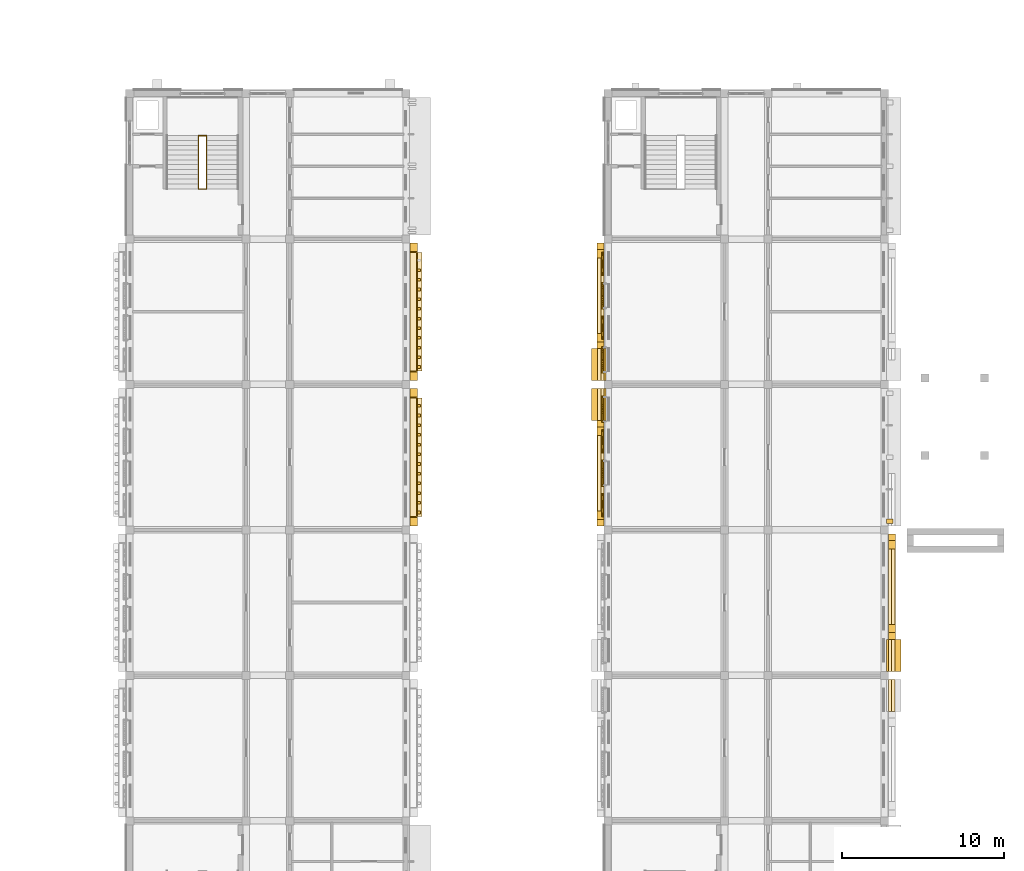
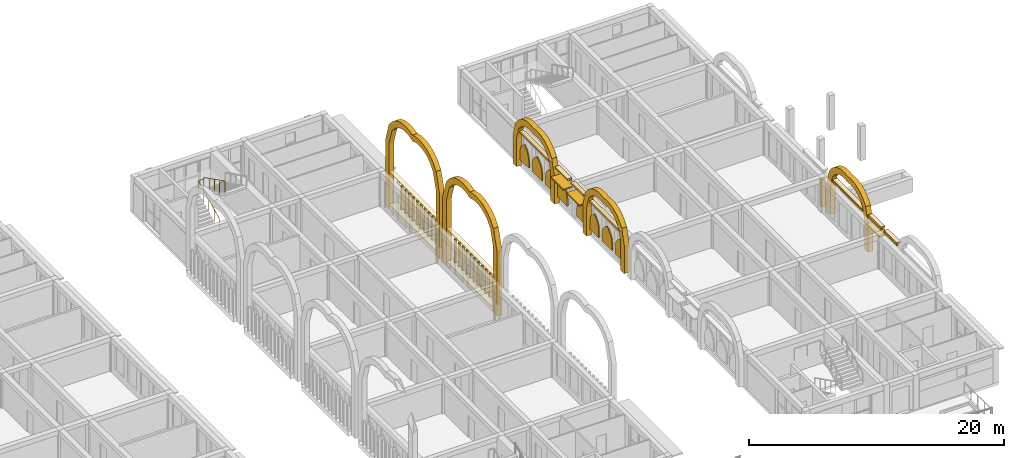
# One storey, part 81 of 82: 47 coverings, 11 shading devices, 1 railing.
"""IFC4 building model written with IfcOpenShell, lengths in metres."""

from ifc_helpers import new_model, si_unit, direction, frame, origin, origin_2d, place, context, subcontext, project, spatial, polyline, rectangle, circle, outline, extrude, material, layer, layer_set, type_object, element, save


model = new_model("IFC4")

# Units and contexts
model_context = context("Model", 3, precision=1e-05, world=origin(), true_north=direction((0.0, 1.0)))
body_context = subcontext(model_context, "Body", "Model", "MODEL_VIEW")
ifc_project = project(units=[si_unit("LENGTHUNIT", "METRE"), si_unit("AREAUNIT", "SQUARE_METRE"), si_unit("VOLUMEUNIT", "CUBIC_METRE"), si_unit("PLANEANGLEUNIT", "RADIAN"), si_unit("MASSUNIT", "GRAM", prefix="KILO")], contexts=[model_context])

# Site, building, storey
site_placement = place(None, origin())
site = spatial("IfcSite", under=ifc_project, at=site_placement, CompositionType="ELEMENT")
building_placement = place(site_placement, origin())
building = spatial("IfcBuilding", under=site, at=building_placement, Name="Elbe Cascade School", CompositionType="ELEMENT")
storey_placement = place(building_placement, frame((0.0, 0.0, 4.5)))
storey = spatial("IfcBuildingStorey", under=building, at=storey_placement, Name="L01", CompositionType="ELEMENT", Elevation=4.5)

# Railing
ifc_material_1 = material(Name="Steel S355J2H, painted", Category="steel")
railing_type = type_object("IfcRailingType", Name="Bar stair guard 1100", PredefinedType="GUARDRAIL", material=ifc_material_1)
railing_placement = place(storey_placement, frame((132.449951171875, 54.10009765625, 0.14990234375)))
element("IfcRailing", 1, at=railing_placement, inside=storey, type_object=railing_type, Name="Stair guard C1.N", PredefinedType="GUARDRAIL", context=body_context, shape_type="SweptSolid", body=[
    extrude(circle(Radius=0.02392578125, at=origin_2d()), frame((0.0, 0.0, 1.09619140625), z_axis=(0.0, 0.894400720042, 0.447266533499), x_axis=(-1.0, 0.0, 0.0)), (0.0, 0.0, 1.0), 3.689453125),
    extrude(circle(Radius=0.02392578125, at=origin_2d()), frame((0.0, 3.2998046875, 2.74609375), z_axis=(1.0, 0.0, 0.0), x_axis=(0.0, 1.0, 0.0)), (0.0, 0.0, 1.0), 0.5),
    extrude(circle(Radius=0.02392578125, at=origin_2d()), frame((0.5, 3.2998046875, 2.74609375), z_axis=(0.0, 0.0, 1.0), x_axis=(1.0, 0.0, 0.0)), (0.0, 0.0, 1.0), 0.14990234375),
    extrude(circle(Radius=0.02392578125, at=origin_2d()), frame((0.5, 3.2998046875, 2.89599609375), z_axis=(0.0, -0.894400720042, 0.447266533499), x_axis=(1.0, 0.0, 0.0)), (0.0, 0.0, 1.0), 3.689453125),
    extrude(circle(Radius=0.02392578125, at=origin_2d()), frame((0.5, 0.0, 4.54638671875), z_axis=(-1.0, 0.0, 0.0), x_axis=(0.0, -1.0, 0.0)), (0.0, 0.0, 1.0), 0.5),
    extrude(circle(Radius=0.02099609375, at=origin_2d()), origin(), (0.0, 0.0, 1.0), 1.072021484375),
    extrude(circle(Radius=0.02099609375, at=origin_2d()), frame((0.0, 0.824951171875, 0.41259765625)), (0.0, 0.0, 1.0), 1.072021484375),
    extrude(circle(Radius=0.02099609375, at=origin_2d()), frame((0.0, 1.64990234375, 0.8251953125)), (0.0, 0.0, 1.0), 1.072021484375),
    extrude(circle(Radius=0.02099609375, at=origin_2d()), frame((0.0, 2.474853515625, 1.237548828125)), (0.0, 0.0, 1.0), 1.072021484375),
    extrude(circle(Radius=0.02099609375, at=origin_2d()), frame((0.0, 3.2998046875, 1.650146484375)), (0.0, 0.0, 1.0), 1.072021484375),
    extrude(circle(Radius=0.02099609375, at=origin_2d()), frame((0.5, 3.2998046875, 1.650146484375)), (0.0, 0.0, 1.0), 1.072021484375),
    extrude(circle(Radius=0.02099609375, at=origin_2d()), frame((0.5, 3.2998046875, 1.800048828125)), (0.0, 0.0, 1.0), 1.072021484375),
    extrude(circle(Radius=0.02099609375, at=origin_2d()), frame((0.5, 2.474853515625, 2.212646484375)), (0.0, 0.0, 1.0), 1.072021484375),
    extrude(circle(Radius=0.02099609375, at=origin_2d()), frame((0.5, 1.64990234375, 2.625)), (0.0, 0.0, 1.0), 1.072021484375),
    extrude(circle(Radius=0.02099609375, at=origin_2d()), frame((0.5, 0.824951171875, 3.03759765625)), (0.0, 0.0, 1.0), 1.072021484375),
    extrude(circle(Radius=0.02099609375, at=origin_2d()), frame((0.5, 0.0, 3.4501953125)), (0.0, 0.0, 1.0), 1.072021484375),
    extrude(circle(Radius=0.02099609375, at=origin_2d()), frame((0.0, 0.0, 3.4501953125)), (0.0, 0.0, 1.0), 1.072021484375),
])

# Shading devices
ifc_material_2 = material(Name="Precast concrete C30/37", Category="concrete")
ifc_layer_1 = layer(ifc_material_2, 0.1201171875)
ifc_layer_set_1 = layer_set([ifc_layer_1], Name="Precast concrete C30/37")
shading_device_type_1 = type_object("IfcShadingDeviceType", Name="Bars envelope Chhajja eave, precast concrete, 900 x 120", PredefinedType="USERDEFINED", material=ifc_layer_set_1)
for number, where, z_axis, x_axis, name in (
    (2, (157.22998046875, 40.760009765625, 2.6298828125), (0.0, 0.0, 1.0), (0.0, 1.0, 0.0), "Chhajja eave SD2 D.L01.w4b"),
    (3, (157.22998046875, 43.239990234375, 2.6298828125), (0.0, 0.0, 1.0), (0.0, 1.0, 0.0), "Chhajja eave SD2 D.L01.w5a"),
    (4, (175.469970703125, 25.239990234375, 2.6298828125), (0.0, 0.0, 1.0), (0.0, 1.0, 0.0), "Chhajja eave SD2 D.L01.e3a"),
):
    element("IfcShadingDevice", number, at=place(storey_placement, frame(where, z_axis=z_axis, x_axis=x_axis)), inside=storey, type_object=shading_device_type_1, Name=name, ObjectType="CHHAJJA", PredefinedType="USERDEFINED", context=body_context, shape_type="SweptSolid", body=[
        extrude(rectangle(XDim=1.97998046875, YDim=0.89990234375, at=origin_2d()), origin(), (0.0, 0.0, 1.0), 0.1201171875),
    ])
ifc_material_3 = material(Name="Precast concrete C40/50", Category="concrete")
ifc_layer_2 = layer(ifc_material_3, 0.10009765625)
ifc_layer_set_2 = layer_set([ifc_layer_2], Name="Precast concrete C40/50")
shading_device_type_2 = type_object("IfcShadingDeviceType", Name="Bars envelope Jali screen 1400 x 1840, pointed arch rise 1200, pierced precast concrete", PredefinedType="USERDEFINED", material=ifc_layer_set_2)
shading_device_1_placement = place(storey_placement, frame((157.39990234375, 33.830078125, 1.239990234375), z_axis=(-1.0, 0.0, 0.0), x_axis=(0.0, 0.17792317593, 0.984044380842)))
element("IfcShadingDevice", 5, at=shading_device_1_placement, inside=storey, type_object=shading_device_type_2, Name="Jali screen SD6 D.L01.w4.1", ObjectType="JALI", PredefinedType="USERDEFINED", context=body_context, shape_type="SweptSolid", body=[
    extrude(outline(polyline([(0.0, 0.0), (0.49123641871346896, 0.0), (0.6924968687559299, 0.05242999837586913), (0.8431090177286255, 0.11426571806572286), (0.9655690388364628, 0.18094347076411482), (1.0690931266165173, 0.25129309242718334), (1.1586395539315395, 0.3239218888517511), (1.2366542111585679, 0.39863572249424895), (1.305342743464475, 0.47528389408648153), (1.2677994546013998, 0.5708915381836547), (1.2209300408172035, 0.6684335202305626), (1.1624854186696398, 0.7678202942852341), (1.090106574332417, 0.8697264883115714), (0.9987917966674117, 0.9753045513025852), (0.879324891137548, 1.0857246473021371), (0.7092096845379191, 1.2055504646156736), (0.24907507099190854, 1.377566035094913), (-0.38060762485458033, 1.491417754848975), (-0.6296826958464888, 0.11385171975406214), (0.0, 0.0)])), origin(), (0.0, 0.0, -1.0), 0.10009765625),
])
for number, where, z_axis, x_axis, name in (
    (6, (157.39990234375, 37.7900390625, 1.239990234375), (-1.0, 0.0, 0.0), (0.0, 0.17792317593, 0.984044380842), "Jali screen SD6 D.L01.w4.3"),
    (7, (157.39990234375, 44.81005859375, 1.239990234375), (-1.0, 0.0, 0.0), (0.0, 0.17792317593, 0.984044380842), "Jali screen SD6 D.L01.w5.2"),
):
    element("IfcShadingDevice", number, at=place(storey_placement, frame(where, z_axis=z_axis, x_axis=x_axis)), inside=storey, type_object=shading_device_type_2, Name=name, ObjectType="JALI", PredefinedType="USERDEFINED", context=body_context, shape_type="SweptSolid", body=[
        extrude(outline(polyline([(0.0, 0.0), (0.49123641871346896, 0.0), (0.6925403070313034, 0.052670243586035656), (0.8431090177286255, 0.11426571806572286), (0.9655690388364628, 0.18094347076411482), (1.0690931266165173, 0.25129309242718334), (1.1586395539315395, 0.3239218888517511), (1.2366976494339414, 0.39887596770441547), (1.305342743464475, 0.47528389408648153), (1.2677994546013998, 0.5708915381836547), (1.2209300408172035, 0.6684335202305626), (1.1624854186696398, 0.7678202942852341), (1.0901500126077905, 0.8699667335217378), (0.9987917966674117, 0.9753045513025852), (0.879324891137548, 1.0857246473021371), (0.7092096845379191, 1.2055504646156736), (0.24907507099190854, 1.377566035094913), (-0.38060762485458033, 1.491417754848975), (-0.6296826958464888, 0.11385171975406214), (0.0, 0.0)])), origin(), (0.0, 0.0, -1.0), 0.10009765625),
    ])
shading_device_2_placement = place(storey_placement, frame((157.39990234375, 48.77001953125, 1.239990234375), z_axis=(-1.0, 0.0, 0.0), x_axis=(0.0, 0.17792317593, 0.984044380842)))
element("IfcShadingDevice", 8, at=shading_device_2_placement, inside=storey, type_object=shading_device_type_2, Name="Jali screen SD6 D.L01.w5.4", ObjectType="JALI", PredefinedType="USERDEFINED", context=body_context, shape_type="SweptSolid", body=[
    extrude(outline(polyline([(0.0, 0.0), (0.49123641871346896, 0.0), (0.6925403070313034, 0.052670243586035656), (0.8431090177286255, 0.11426571806572286), (0.9656124771118364, 0.18118371597428135), (1.0690931266165173, 0.25129309242718334), (1.1586395539315395, 0.3239218888517511), (1.2366976494339414, 0.39887596770441547), (1.305342743464475, 0.47528389408648153), (1.2678428928767733, 0.5711317833938212), (1.2209300408172035, 0.6684335202305626), (1.1624854186696398, 0.7678202942852341), (1.0901500126077905, 0.8699667335217378), (0.9987917966674117, 0.9753045513025852), (0.8793683294129215, 1.0859648925123038), (0.7092096845379191, 1.2055504646156736), (0.24907507099190854, 1.377566035094913), (-0.38060762485458033, 1.491417754848975), (-0.6296826958464888, 0.11385171975406214), (0.0, 0.0)])), origin(), (0.0, 0.0, -1.0), 0.10009765625),
])
ifc_material_4 = material(Name="Precast concrete C40/50", Category="concrete")
ifc_layer_3 = layer(ifc_material_4, 0.10009765625)
ifc_layer_set_3 = layer_set([ifc_layer_3], Name="Precast concrete C40/50")
shading_device_type_3 = type_object("IfcShadingDeviceType", Name="Bars envelope Jali screen 1600 x 1840, pointed arch rise 1200, pierced precast concrete", PredefinedType="USERDEFINED", material=ifc_layer_set_3)
shading_device_3_placement = place(storey_placement, frame((157.39990234375, 35.7099609375, 1.239990234375), z_axis=(-1.0, 0.0, 0.0), x_axis=(0.0, 0.196300278283, 0.98054382908)))
element("IfcShadingDevice", 9, at=shading_device_3_placement, inside=storey, type_object=shading_device_type_3, Name="Jali screen SD7 D.L01.w4.2", ObjectType="JALI", PredefinedType="USERDEFINED", context=body_context, shape_type="SweptSolid", body=[
    extrude(outline(polyline([(0.0, 0.0), (0.509921112317134, 0.0), (0.7186409460062186, 0.06005009918221829), (0.8735458233318658, 0.1311226852889124), (0.9982874871653163, 0.20823380534668107), (1.102872417131342, 0.2891312241218946), (1.1919448840573539, 0.37338315020117196), (1.268281725197354, 0.45993570394643946), (1.3336545243794973, 0.5489321924158467), (1.3075801207519657, 0.6562359822289878), (1.270445825421322, 0.7655049255997259), (1.220671754049922, 0.877553277802997), (1.155289369893253, 0.9924773561437888), (1.069846101614414, 1.1116665143685687), (0.9542396198433787, 1.2368942065444228), (0.7847223319636507, 1.37266560447821), (0.31409961520112845, 1.5689658827607584), (-0.3133431035532121, 1.6945769739176333), (-0.6274427187543405, 0.12561109115687483), (0.0, 0.0)])), origin(), (0.0, 0.0, -1.0), 0.10009765625),
])
shading_device_4_placement = place(storey_placement, frame((157.39990234375, 39.669921875, 1.239990234375), z_axis=(-1.0, 0.0, 0.0), x_axis=(0.0, 0.196300278283, 0.98054382908)))
element("IfcShadingDevice", 10, at=shading_device_4_placement, inside=storey, type_object=shading_device_type_3, Name="Jali screen SD7 D.L01.w4.4", ObjectType="JALI", PredefinedType="USERDEFINED", context=body_context, shape_type="SweptSolid", body=[
    extrude(outline(polyline([(0.0, 0.0), (0.509921112317134, 0.0), (0.7186888708788461, 0.0602894897654897), (0.8735458233318658, 0.1311226852889124), (0.9982874871653163, 0.20823380534668107), (1.102872417131342, 0.2891312241218946), (1.1919448840573539, 0.37338315020117196), (1.2683296500699814, 0.46017509452971084), (1.3336545243794973, 0.5489321924158467), (1.3075801207519657, 0.6562359822289878), (1.270445825421322, 0.7655049255997259), (1.220671754049922, 0.877553277802997), (1.1553372947658807, 0.9927167467270602), (1.069846101614414, 1.1116665143685687), (0.9542396198433787, 1.2368942065444228), (0.7847223319636507, 1.37266560447821), (0.31409961520112845, 1.5689658827607584), (-0.3133431035532121, 1.6945769739176333), (-0.6274427187543405, 0.12561109115687483), (0.0, 0.0)])), origin(), (0.0, 0.0, -1.0), 0.10009765625),
])
shading_device_5_placement = place(storey_placement, frame((157.39990234375, 42.72998046875, 1.239990234375), z_axis=(-1.0, 0.0, 0.0), x_axis=(0.0, 0.196300278283, 0.98054382908)))
element("IfcShadingDevice", 11, at=shading_device_5_placement, inside=storey, type_object=shading_device_type_3, Name="Jali screen SD7 D.L01.w5.1", ObjectType="JALI", PredefinedType="USERDEFINED", context=body_context, shape_type="SweptSolid", body=[
    extrude(outline(polyline([(0.0, 0.0), (0.509921112317134, 0.0), (0.7186409460062186, 0.06005009918221829), (0.8735458233318658, 0.1311226852889124), (0.9982395622926888, 0.20799441476340969), (1.102872417131342, 0.2891312241218946), (1.1919448840573539, 0.37338315020117196), (1.268281725197354, 0.45993570394643946), (1.3336545243794973, 0.5489321924158467), (1.3075321958793382, 0.6559965916457164), (1.270445825421322, 0.7655049255997259), (1.220671754049922, 0.877553277802997), (1.155289369893253, 0.9924773561437888), (1.069846101614414, 1.1116665143685687), (0.9541916949707512, 1.2366548159611515), (0.7847223319636507, 1.37266560447821), (0.31409961520112845, 1.5689658827607584), (-0.3133431035532121, 1.6945769739176333), (-0.6274427187543405, 0.12561109115687483), (0.0, 0.0)])), origin(), (0.0, 0.0, -1.0), 0.10009765625),
])
shading_device_6_placement = place(storey_placement, frame((157.39990234375, 46.68994140625, 1.239990234375), z_axis=(-1.0, 0.0, 0.0), x_axis=(0.0, 0.196300278283, 0.98054382908)))
element("IfcShadingDevice", 12, at=shading_device_6_placement, inside=storey, type_object=shading_device_type_3, Name="Jali screen SD7 D.L01.w5.3", ObjectType="JALI", PredefinedType="USERDEFINED", context=body_context, shape_type="SweptSolid", body=[
    extrude(outline(polyline([(0.0, 0.0), (0.509921112317134, 0.0), (0.7186409460062186, 0.06005009918221829), (0.8735458233318658, 0.1311226852889124), (0.9982874871653163, 0.20823380534668107), (1.102872417131342, 0.2891312241218946), (1.1919448840573539, 0.37338315020117196), (1.268281725197354, 0.45993570394643946), (1.3336545243794973, 0.5489321924158467), (1.3075801207519657, 0.6562359822289878), (1.270445825421322, 0.7655049255997259), (1.220671754049922, 0.877553277802997), (1.155289369893253, 0.9924773561437888), (1.069846101614414, 1.1116665143685687), (0.9542396198433787, 1.2368942065444228), (0.7847223319636507, 1.37266560447821), (0.31409961520112845, 1.5689658827607584), (-0.3133431035532121, 1.6945769739176333), (-0.6274427187543405, 0.12561109115687483), (0.0, 0.0)])), origin(), (0.0, 0.0, -1.0), 0.10009765625),
])

# Coverings
ifc_material_5 = material(Name="Precast concrete C40/50", Category="concrete")
covering_type_1 = type_object("IfcCoveringType", Name="Bars envelope Precast concrete fin, 300 wide, 400 deep", PredefinedType="CLADDING", material=ifc_material_5)
covering_1_placement = place(storey_placement, frame((175.219970703125, 33.5400390625, 0.0), z_axis=(0.0, 0.0, 1.0), x_axis=(0.0, 1.0, 0.0)))
element("IfcCovering", 13, at=covering_1_placement, inside=storey, type_object=covering_type_1, Name="Fin CV67 D.L01.e4.1", PredefinedType="CLADDING", context=body_context, shape_type="SweptSolid", body=[
    extrude(rectangle(XDim=0.300048828125, YDim=0.39990234375, at=origin_2d()), origin(), (0.0, 0.0, 1.0), 2.6298828125),
])
ifc_material_6 = material(Name="Sandstone - red", Category="masonry")
covering_type_2 = type_object("IfcCoveringType", Name="Bars envelope Sandstone arch frame single, 8500 wide, 450 deep", PredefinedType="CLADDING", material=ifc_material_6)
for number, where, z_axis, x_axis, name in (
    (14, (146.0, 33.830078125, 0.0), (1.0, 0.0, 0.0), (0.0, 0.0, 1.0), "Arch frame CV52 C.L01.e4"),
    (15, (146.0, 42.830078125, 0.0), (1.0, 0.0, 0.0), (0.0, 0.0, 1.0), "Arch frame CV52 C.L01.e5"),
):
    element("IfcCovering", number, at=place(storey_placement, frame(where, z_axis=z_axis, x_axis=x_axis)), inside=storey, type_object=covering_type_2, Name=name, PredefinedType="CLADDING", context=body_context, shape_type="SweptSolid", body=[
        extrude(outline(polyline([(0.0, 0.0), (6.300048828125, 0.0), (7.784912109375, -0.458740234375), (8.29736328125, -0.91748046875), (8.613525390625, -1.376220703125), (8.80908203125, -1.8349609375), (8.910888671875, -2.293701171875), (8.93017578125, -2.75244140625), (8.86865234375, -3.211181640625), (8.719970703125, -3.669921875), (8.86865234375, -4.128662109375), (8.93017578125, -4.58740234375), (8.910888671875, -5.046142578125), (8.80908203125, -5.5048828125), (8.613525390625, -5.963623046875), (8.29736328125, -6.42236328125), (7.784912109375, -6.881103515625), (6.300048828125, -7.33984375), (0.0, -7.33984375), (0.0, -7.919921875), (6.300048828125, -7.919921875), (8.060791015625, -7.388671875), (8.67431640625, -6.857421875), (9.058349609375, -6.326171875), (9.302490234375, -5.794921875), (9.439697265625, -5.263671875), (9.48388671875, -4.732421875), (9.438720703125, -4.201171875), (9.300048828125, -3.669921875), (9.438720703125, -3.138671875), (9.48388671875, -2.607421875), (9.439697265625, -2.076171875), (9.302490234375, -1.544921875), (9.058349609375, -1.013671875), (8.67431640625, -0.482421875), (8.060791015625, 0.048828125), (6.300048828125, 0.580078125), (0.0, 0.580078125), (0.0, 0.0)])), origin(), (0.0, 0.0, -1.0), 0.449951171875),
    ])
ifc_material_7 = material(Name="Sandstone - red", Category="masonry")
covering_type_3 = type_object("IfcCoveringType", Name="Bars envelope Sandstone arch frame triple, 6520 wide, 450 deep", PredefinedType="CLADDING", material=ifc_material_7)
covering_2_placement = place(storey_placement, frame((157.10009765625, 33.25, 0.0), z_axis=(-1.0, 0.0, 0.0), x_axis=(0.0, 0.0, 1.0)))
element("IfcCovering", 16, at=covering_2_placement, inside=storey, type_object=covering_type_3, Name="Arch frame CV70 D.L01.w4", PredefinedType="CLADDING", context=body_context, shape_type="SweptSolid", body=[
    extrude(outline(polyline([(0.0, 0.0), (2.699951171875, 0.0), (4.11669921875, 0.407470703125), (4.618896484375, 0.81494140625), (4.94189453125, 1.222412109375), (5.156982421875, 1.6298828125), (5.29150390625, 2.03759765625), (5.357666015625, 2.445068359375), (5.3603515625, 2.8525390625), (5.300048828125, 3.260009765625), (5.3603515625, 3.66748046875), (5.357666015625, 4.074951171875), (5.29150390625, 4.482421875), (5.156982421875, 4.889892578125), (4.94189453125, 5.297607421875), (4.618896484375, 5.705078125), (4.11669921875, 6.112548828125), (2.699951171875, 6.52001953125), (0.0, 6.52001953125), (0.0, 5.93994140625), (2.699951171875, 5.93994140625), (3.83837890625, 5.60498046875), (4.23828125, 5.27001953125), (4.49267578125, 4.93505859375), (4.658447265625, 4.60009765625), (4.757568359375, 4.264892578125), (4.79931640625, 3.929931640625), (4.787109375, 3.594970703125), (4.719970703125, 3.260009765625), (4.787109375, 2.925048828125), (4.79931640625, 2.590087890625), (4.757568359375, 2.2548828125), (4.658447265625, 1.919921875), (4.49267578125, 1.5849609375), (4.23828125, 1.25), (3.83837890625, 0.9150390625), (2.699951171875, 0.580078125), (0.0, 0.580078125), (0.0, 0.0)])), origin(), (0.0, 0.0, -1.0), 0.449951171875),
])
covering_3_placement = place(storey_placement, frame((157.10009765625, 44.22998046875, 0.0), z_axis=(-1.0, 0.0, 0.0), x_axis=(0.0, 0.0, 1.0)))
element("IfcCovering", 17, at=covering_3_placement, inside=storey, type_object=covering_type_3, Name="Arch frame CV70 D.L01.w5", PredefinedType="CLADDING", context=body_context, shape_type="SweptSolid", body=[
    extrude(outline(polyline([(0.0, 0.0), (2.699951171875, 0.0), (4.11669921875, 0.407470703125), (4.618896484375, 0.81494140625), (4.94189453125, 1.222412109375), (5.156982421875, 1.630126953125), (5.29150390625, 2.03759765625), (5.357666015625, 2.445068359375), (5.3603515625, 2.8525390625), (5.300048828125, 3.260009765625), (5.3603515625, 3.66748046875), (5.357666015625, 4.074951171875), (5.29150390625, 4.482421875), (5.156982421875, 4.89013671875), (4.94189453125, 5.297607421875), (4.618896484375, 5.705078125), (4.11669921875, 6.112548828125), (2.699951171875, 6.52001953125), (0.0, 6.52001953125), (0.0, 5.93994140625), (2.699951171875, 5.93994140625), (3.83837890625, 5.60498046875), (4.23828125, 5.27001953125), (4.49267578125, 4.93505859375), (4.658447265625, 4.60009765625), (4.757568359375, 4.26513671875), (4.79931640625, 3.929931640625), (4.787109375, 3.594970703125), (4.719970703125, 3.260009765625), (4.787109375, 2.925048828125), (4.79931640625, 2.590087890625), (4.757568359375, 2.255126953125), (4.658447265625, 1.919921875), (4.49267578125, 1.5849609375), (4.23828125, 1.25), (3.83837890625, 0.9150390625), (2.699951171875, 0.580078125), (0.0, 0.580078125), (0.0, 0.0)])), origin(), (0.0, 0.0, -1.0), 0.449951171875),
])
covering_4_placement = place(storey_placement, frame((175.60009765625, 26.81005859375, 0.0), z_axis=(1.0, 0.0, 0.0), x_axis=(0.0, 0.0, 1.0)))
element("IfcCovering", 18, at=covering_4_placement, inside=storey, type_object=covering_type_3, Name="Arch frame CV70 D.L01.e3", PredefinedType="CLADDING", context=body_context, shape_type="SweptSolid", body=[
    extrude(outline(polyline([(0.0, 0.0), (2.699951171875, 0.0), (3.83837890625, -0.3349609375), (4.23828125, -0.669921875), (4.49267578125, -1.0048828125), (4.658447265625, -1.33984375), (4.757568359375, -1.675048828125), (4.79931640625, -2.010009765625), (4.787109375, -2.344970703125), (4.719970703125, -2.679931640625), (4.787109375, -3.014892578125), (4.79931640625, -3.349853515625), (4.757568359375, -3.68505859375), (4.658447265625, -4.02001953125), (4.49267578125, -4.35498046875), (4.23828125, -4.68994140625), (3.83837890625, -5.02490234375), (2.699951171875, -5.35986328125), (0.0, -5.35986328125), (0.0, -5.93994140625), (2.699951171875, -5.93994140625), (4.11669921875, -5.532470703125), (4.618896484375, -5.125), (4.94189453125, -4.717529296875), (5.156982421875, -4.31005859375), (5.29150390625, -3.90234375), (5.357666015625, -3.494873046875), (5.3603515625, -3.08740234375), (5.300048828125, -2.679931640625), (5.3603515625, -2.2724609375), (5.357666015625, -1.864990234375), (5.29150390625, -1.45751953125), (5.156982421875, -1.050048828125), (4.94189453125, -0.642333984375), (4.618896484375, -0.23486328125), (4.11669921875, 0.172607421875), (2.699951171875, 0.580078125), (0.0, 0.580078125), (0.0, 0.0)])), origin(), (0.0, 0.0, -1.0), 0.449951171875),
])
ifc_material_8 = material(Name="Sandstone - red", Category="masonry")
covering_type_4 = type_object("IfcCoveringType", Name="Bars envelope Sandstone cornice lower step, 200 deep", PredefinedType="CLADDING", material=ifc_material_8)
covering_5_placement = place(storey_placement, frame((157.449951171875, 36.510009765625, 3.300048828125), z_axis=(0.0, 0.0, 1.0), x_axis=(0.0, 1.0, 0.0)))
element("IfcCovering", 19, at=covering_5_placement, inside=storey, type_object=covering_type_4, Name="Cornice CV71 D.L01.w3.1a", PredefinedType="CLADDING", context=body_context, shape_type="SweptSolid", body=[
    extrude(rectangle(XDim=4.659912109375, YDim=0.199951171875, at=origin_2d()), origin(), (0.0, 0.0, 1.0), 0.14990234375),
])
for number, where, z_axis, x_axis, name in (
    (20, (157.449951171875, 40.760009765625, 3.300048828125), (0.0, 0.0, 1.0), (0.0, 1.0, 0.0), "Cornice CV71 D.L01.w3.2a"),
    (21, (157.449951171875, 43.239990234375, 3.300048828125), (0.0, 0.0, 1.0), (0.0, 1.0, 0.0), "Cornice CV71 D.L01.w4.1a"),
):
    element("IfcCovering", number, at=place(storey_placement, frame(where, z_axis=z_axis, x_axis=x_axis)), inside=storey, type_object=covering_type_4, Name=name, PredefinedType="CLADDING", context=body_context, shape_type="SweptSolid", body=[
        extrude(rectangle(XDim=1.97998046875, YDim=0.199951171875, at=origin_2d()), origin(), (0.0, 0.0, 1.0), 0.14990234375),
    ])
covering_6_placement = place(storey_placement, frame((157.449951171875, 47.489990234375, 3.300048828125), z_axis=(0.0, 0.0, 1.0), x_axis=(0.0, 1.0, 0.0)))
element("IfcCovering", 22, at=covering_6_placement, inside=storey, type_object=covering_type_4, Name="Cornice CV71 D.L01.w4.2a", PredefinedType="CLADDING", context=body_context, shape_type="SweptSolid", body=[
    extrude(rectangle(XDim=4.659912109375, YDim=0.199951171875, at=origin_2d()), origin(), (0.0, 0.0, 1.0), 0.14990234375),
])
for number, where, z_axis, x_axis, name in (
    (23, (175.25, 22.760009765625, 3.300048828125), (0.0, 0.0, 1.0), (0.0, 1.0, 0.0), "Cornice CV71 D.L01.e1.2a"),
    (24, (175.25, 25.239990234375, 3.300048828125), (0.0, 0.0, 1.0), (0.0, 1.0, 0.0), "Cornice CV71 D.L01.e2.1a"),
):
    element("IfcCovering", number, at=place(storey_placement, frame(where, z_axis=z_axis, x_axis=x_axis)), inside=storey, type_object=covering_type_4, Name=name, PredefinedType="CLADDING", context=body_context, shape_type="SweptSolid", body=[
        extrude(rectangle(XDim=1.97998046875, YDim=0.199951171875, at=origin_2d()), origin(), (0.0, 0.0, 1.0), 0.14990234375),
    ])
covering_7_placement = place(storey_placement, frame((175.25, 29.489990234375, 3.300048828125), z_axis=(0.0, 0.0, 1.0), x_axis=(0.0, 1.0, 0.0)))
element("IfcCovering", 25, at=covering_7_placement, inside=storey, type_object=covering_type_4, Name="Cornice CV71 D.L01.e2.2a", PredefinedType="CLADDING", context=body_context, shape_type="SweptSolid", body=[
    extrude(rectangle(XDim=4.659912109375, YDim=0.199951171875, at=origin_2d()), origin(), (0.0, 0.0, 1.0), 0.14990234375),
])
ifc_material_9 = material(Name="Sandstone - red", Category="masonry")
covering_type_5 = type_object("IfcCoveringType", Name="Bars envelope Sandstone cornice upper step, 400 deep", PredefinedType="CLADDING", material=ifc_material_9)
covering_8_placement = place(storey_placement, frame((157.35009765625, 36.510009765625, 3.449951171875), z_axis=(0.0, 0.0, 1.0), x_axis=(0.0, 1.0, 0.0)))
element("IfcCovering", 26, at=covering_8_placement, inside=storey, type_object=covering_type_5, Name="Cornice CV72 D.L01.w3.1b", PredefinedType="CLADDING", context=body_context, shape_type="SweptSolid", body=[
    extrude(rectangle(XDim=4.659912109375, YDim=0.39990234375, at=origin_2d()), origin(), (0.0, 0.0, 1.0), 0.14990234375),
])
for number, where, z_axis, x_axis, name in (
    (27, (157.35009765625, 40.760009765625, 3.449951171875), (0.0, 0.0, 1.0), (0.0, 1.0, 0.0), "Cornice CV72 D.L01.w3.2b"),
    (28, (157.35009765625, 43.239990234375, 3.449951171875), (0.0, 0.0, 1.0), (0.0, 1.0, 0.0), "Cornice CV72 D.L01.w4.1b"),
):
    element("IfcCovering", number, at=place(storey_placement, frame(where, z_axis=z_axis, x_axis=x_axis)), inside=storey, type_object=covering_type_5, Name=name, PredefinedType="CLADDING", context=body_context, shape_type="SweptSolid", body=[
        extrude(rectangle(XDim=1.97998046875, YDim=0.39990234375, at=origin_2d()), origin(), (0.0, 0.0, 1.0), 0.14990234375),
    ])
covering_9_placement = place(storey_placement, frame((157.35009765625, 47.489990234375, 3.449951171875), z_axis=(0.0, 0.0, 1.0), x_axis=(0.0, 1.0, 0.0)))
element("IfcCovering", 29, at=covering_9_placement, inside=storey, type_object=covering_type_5, Name="Cornice CV72 D.L01.w4.2b", PredefinedType="CLADDING", context=body_context, shape_type="SweptSolid", body=[
    extrude(rectangle(XDim=4.659912109375, YDim=0.39990234375, at=origin_2d()), origin(), (0.0, 0.0, 1.0), 0.14990234375),
])
for number, where, z_axis, x_axis, name in (
    (30, (175.35009765625, 22.760009765625, 3.449951171875), (0.0, 0.0, 1.0), (0.0, 1.0, 0.0), "Cornice CV72 D.L01.e1.2b"),
    (31, (175.35009765625, 25.239990234375, 3.449951171875), (0.0, 0.0, 1.0), (0.0, 1.0, 0.0), "Cornice CV72 D.L01.e2.1b"),
):
    element("IfcCovering", number, at=place(storey_placement, frame(where, z_axis=z_axis, x_axis=x_axis)), inside=storey, type_object=covering_type_5, Name=name, PredefinedType="CLADDING", context=body_context, shape_type="SweptSolid", body=[
        extrude(rectangle(XDim=1.97998046875, YDim=0.39990234375, at=origin_2d()), origin(), (0.0, 0.0, 1.0), 0.14990234375),
    ])
covering_10_placement = place(storey_placement, frame((175.35009765625, 29.489990234375, 3.449951171875), z_axis=(0.0, 0.0, 1.0), x_axis=(0.0, 1.0, 0.0)))
element("IfcCovering", 32, at=covering_10_placement, inside=storey, type_object=covering_type_5, Name="Cornice CV72 D.L01.e2.2b", PredefinedType="CLADDING", context=body_context, shape_type="SweptSolid", body=[
    extrude(rectangle(XDim=4.659912109375, YDim=0.39990234375, at=origin_2d()), origin(), (0.0, 0.0, 1.0), 0.14990234375),
])
ifc_material_10 = material(Name="Sandstone - red", Category="masonry")
covering_type_6 = type_object("IfcCoveringType", Name="Bars envelope Sandstone floor ledge, 400 deep", PredefinedType="CLADDING", material=ifc_material_10)
for number, where, z_axis, x_axis, name in (
    (33, (145.75, 37.5, 3.4599609375), (0.0, 0.0, 1.0), (0.0, 1.0, 0.0), "Floor ledge CV64 C.L01.e3.1"),
    (34, (145.75, 46.5, 3.4599609375), (0.0, 0.0, 1.0), (0.0, 1.0, 0.0), "Floor ledge CV64 C.L01.e4.1"),
):
    element("IfcCovering", number, at=place(storey_placement, frame(where, z_axis=z_axis, x_axis=x_axis)), inside=storey, type_object=covering_type_6, Name=name, PredefinedType="CLADDING", context=body_context, shape_type="SweptSolid", body=[
        extrude(rectangle(XDim=7.340087890625, YDim=0.39990234375, at=origin_2d()), origin(), (0.0, 0.0, 1.0), 0.139892578125),
    ])
ifc_material_11 = material(Name="Sandstone - red", Category="masonry")
covering_type_7 = type_object("IfcCoveringType", Name="Bars envelope Sandstone planter kerb, 750 deep", PredefinedType="CLADDING", material=ifc_material_11)
for number, where, z_axis, x_axis, name in (
    (35, (145.925048828125, 37.5, 0.0), (0.0, 0.0, 1.0), (0.0, 1.0, 0.0), "Planter kerb CV65 C.L01.e3.1"),
    (36, (145.925048828125, 46.5, 0.0), (0.0, 0.0, 1.0), (0.0, 1.0, 0.0), "Planter kerb CV65 C.L01.e4.1"),
):
    element("IfcCovering", number, at=place(storey_placement, frame(where, z_axis=z_axis, x_axis=x_axis)), inside=storey, type_object=covering_type_7, Name=name, PredefinedType="CLADDING", context=body_context, shape_type="SweptSolid", body=[
        extrude(rectangle(XDim=7.340087890625, YDim=0.75, at=origin_2d()), origin(), (0.0, 0.0, 1.0), 0.449951171875),
    ])
ifc_material_12 = material(Name="Sandstone - red", Category="masonry")
covering_type_8 = type_object("IfcCoveringType", Name="Bars envelope Sandstone slat, 160 wide, 200 deep", PredefinedType="CLADDING", material=ifc_material_12)
for number, where, z_axis, x_axis, name in (
    (37, (146.10009765625, 34.080078125, 0.4501953125), (0.0, 0.0, 1.0), (0.0, 1.0, 0.0), "Slat CV66 C.L01.e3.1.1"),
    (38, (146.10009765625, 34.679931640625, 0.4501953125), (0.0, 0.0, 1.0), (0.0, 1.0, 0.0), "Slat CV66 C.L01.e3.1.2"),
    (39, (146.10009765625, 35.280029296875, 0.4501953125), (0.0, 0.0, 1.0), (0.0, 1.0, 0.0), "Slat CV66 C.L01.e3.1.3"),
    (40, (146.10009765625, 35.8798828125, 0.4501953125), (0.0, 0.0, 1.0), (0.0, 1.0, 0.0), "Slat CV66 C.L01.e3.1.4"),
    (41, (146.10009765625, 36.47998046875, 0.4501953125), (0.0, 0.0, 1.0), (0.0, 1.0, 0.0), "Slat CV66 C.L01.e3.1.5"),
    (42, (146.10009765625, 37.080078125, 0.4501953125), (0.0, 0.0, 1.0), (0.0, 1.0, 0.0), "Slat CV66 C.L01.e3.1.6"),
    (43, (146.10009765625, 37.679931640625, 0.4501953125), (0.0, 0.0, 1.0), (0.0, 1.0, 0.0), "Slat CV66 C.L01.e3.1.7"),
    (44, (146.10009765625, 38.280029296875, 0.4501953125), (0.0, 0.0, 1.0), (0.0, 1.0, 0.0), "Slat CV66 C.L01.e3.1.8"),
    (45, (146.10009765625, 38.8798828125, 0.4501953125), (0.0, 0.0, 1.0), (0.0, 1.0, 0.0), "Slat CV66 C.L01.e3.1.9"),
    (46, (146.10009765625, 39.47998046875, 0.4501953125), (0.0, 0.0, 1.0), (0.0, 1.0, 0.0), "Slat CV66 C.L01.e3.1.10"),
    (47, (146.10009765625, 40.080078125, 0.4501953125), (0.0, 0.0, 1.0), (0.0, 1.0, 0.0), "Slat CV66 C.L01.e3.1.11"),
    (48, (146.10009765625, 40.679931640625, 0.4501953125), (0.0, 0.0, 1.0), (0.0, 1.0, 0.0), "Slat CV66 C.L01.e3.1.12"),
    (49, (146.10009765625, 43.080078125, 0.4501953125), (0.0, 0.0, 1.0), (0.0, 1.0, 0.0), "Slat CV66 C.L01.e4.1.1"),
    (50, (146.10009765625, 43.679931640625, 0.4501953125), (0.0, 0.0, 1.0), (0.0, 1.0, 0.0), "Slat CV66 C.L01.e4.1.2"),
    (51, (146.10009765625, 44.280029296875, 0.4501953125), (0.0, 0.0, 1.0), (0.0, 1.0, 0.0), "Slat CV66 C.L01.e4.1.3"),
    (52, (146.10009765625, 44.8798828125, 0.4501953125), (0.0, 0.0, 1.0), (0.0, 1.0, 0.0), "Slat CV66 C.L01.e4.1.4"),
    (53, (146.10009765625, 45.47998046875, 0.4501953125), (0.0, 0.0, 1.0), (0.0, 1.0, 0.0), "Slat CV66 C.L01.e4.1.5"),
    (54, (146.10009765625, 46.080078125, 0.4501953125), (0.0, 0.0, 1.0), (0.0, 1.0, 0.0), "Slat CV66 C.L01.e4.1.6"),
    (55, (146.10009765625, 46.679931640625, 0.4501953125), (0.0, 0.0, 1.0), (0.0, 1.0, 0.0), "Slat CV66 C.L01.e4.1.7"),
    (56, (146.10009765625, 47.280029296875, 0.4501953125), (0.0, 0.0, 1.0), (0.0, 1.0, 0.0), "Slat CV66 C.L01.e4.1.8"),
    (57, (146.10009765625, 47.8798828125, 0.4501953125), (0.0, 0.0, 1.0), (0.0, 1.0, 0.0), "Slat CV66 C.L01.e4.1.9"),
    (58, (146.10009765625, 48.47998046875, 0.4501953125), (0.0, 0.0, 1.0), (0.0, 1.0, 0.0), "Slat CV66 C.L01.e4.1.10"),
    (59, (146.10009765625, 49.080078125, 0.4501953125), (0.0, 0.0, 1.0), (0.0, 1.0, 0.0), "Slat CV66 C.L01.e4.1.11"),
):
    element("IfcCovering", number, at=place(storey_placement, frame(where, z_axis=z_axis, x_axis=x_axis)), inside=storey, type_object=covering_type_8, Name=name, PredefinedType="CLADDING", context=body_context, shape_type="SweptSolid", body=[
        extrude(rectangle(XDim=0.159912109375, YDim=0.199951171875, at=origin_2d()), origin(), (0.0, 0.0, 1.0), 2.280029296875),
    ])

save(model, "model.ifc")
